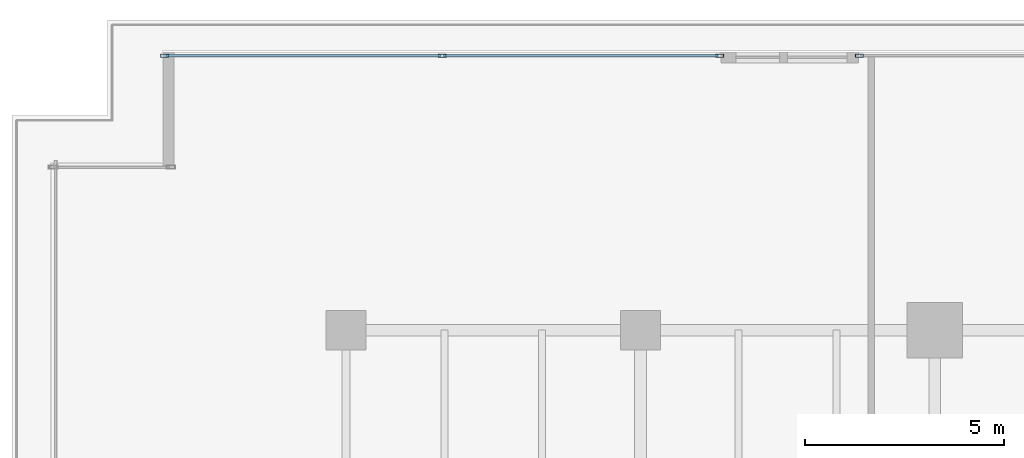
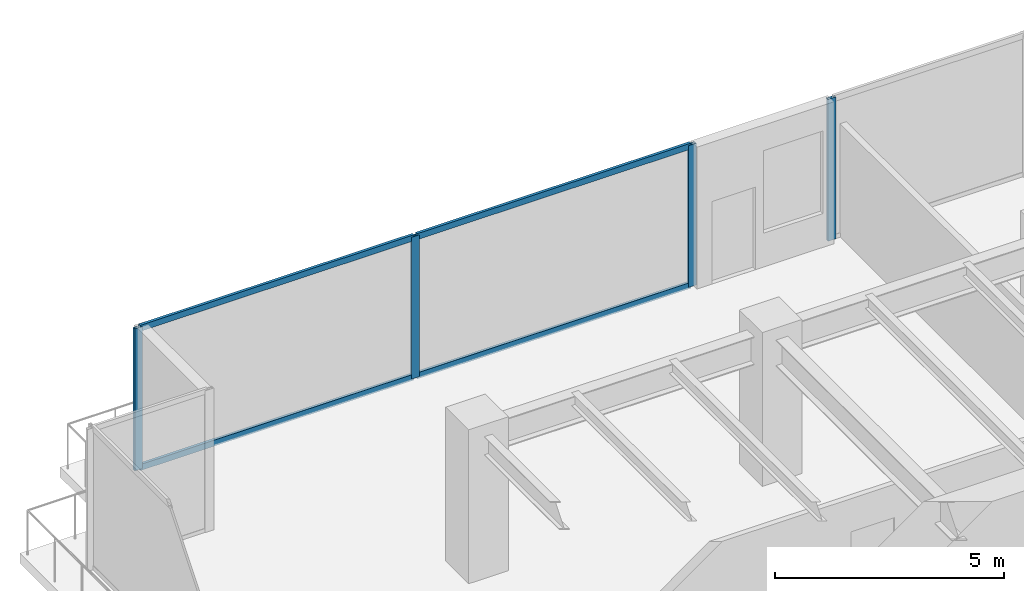
# One storey, part 15 of 36: 8 members, 2 elements without a shape of their own.
"""IFC4 building model written with IfcOpenShell, lengths in metres."""

from ifc_helpers import new_model, si_unit, direction, frame, origin, origin_2d, place, context, subcontext, project, spatial, hollow_rectangle, extrude, source, transform, mapped, material, layer, layer_set, material_profile, profile_set, type_object, type_shapes, element, aggregate, save


model = new_model("IFC4")

# Units and contexts
model_context = context("Model", 3, precision=1e-05, world=origin(), true_north=direction((0.0, 1.0)))
body_context = subcontext(model_context, "Body", "Model", "MODEL_VIEW")
ifc_project = project(units=[si_unit("LENGTHUNIT", "METRE"), si_unit("AREAUNIT", "SQUARE_METRE"), si_unit("VOLUMEUNIT", "CUBIC_METRE"), si_unit("PLANEANGLEUNIT", "RADIAN"), si_unit("MASSUNIT", "GRAM", prefix="KILO")], contexts=[model_context])

# Site, building, storey
site_placement = place(None, origin())
site = spatial("IfcSite", under=ifc_project, at=site_placement, CompositionType="ELEMENT")
building_placement = place(site_placement, origin())
building = spatial("IfcBuilding", under=site, at=building_placement, Name="Haelvirn Gate Laboratories", CompositionType="ELEMENT")
storey_placement = place(building_placement, frame((0.0, 0.0, 25.199951171875)))
storey = spatial("IfcBuildingStorey", under=building, at=storey_placement, Name="L06", CompositionType="ELEMENT", Elevation=25.199951171875)

# Curtain wall, members
ifc_material_1 = material(Name="Anodised bronze unitised aluminium & triple low-E glass", Category="aluminium")
ifc_layer = layer(ifc_material_1, 0.18408203125, Name="CW-SYS-2")
ifc_layer_set = layer_set([ifc_layer], Name="Anodised bronze unitised aluminium & triple low-E glass")
curtain_wall_type = type_object("IfcCurtainWallType", Name="CW-SYS-2", PredefinedType="NOTDEFINED", material=ifc_layer_set)
curtain_wall_1_placement = place(storey_placement, origin())
curtain_wall_1 = element("IfcCurtainWall", 1, at=curtain_wall_1_placement, inside=storey, type_object=curtain_wall_type, Name="L06 Unitised Curtain Wall CW-L06-P0-E14-1", PredefinedType="NOTDEFINED")
ifc_material_2 = material(Name="Extruded aluminium 6063-T6 (anodised bronze)", Category="aluminium")
ifc_material_profile_1 = material_profile(ifc_material_2, hollow_rectangle(XDim=0.074951171875, YDim=0.199951171875, WallThickness=0.0048828125, at=origin_2d()), Name="CWM-200x75x5")
ifc_profile_set_1 = profile_set([ifc_material_profile_1], Name="Extruded aluminium 6063-T6 (anodised bronze)")
member_type_1 = type_object("IfcMemberType", Name="CWM-T200", PredefinedType="MULLION", material=ifc_profile_set_1)
shared_shape_1 = source(origin(), body_context, "Body", "SweptSolid", [
    extrude(hollow_rectangle(XDim=0.074951171875, YDim=0.199951171875, WallThickness=0.0048828125, at=origin_2d()), origin(), (0.0, 0.0, 1.0), 3.780029296875),
])
type_shapes(member_type_1, [shared_shape_1])
member_1_placement = place(storey_placement, frame((2.83740234375, 48.5, 0.0), z_axis=(0.0, 0.0, 1.0), x_axis=(0.0, 1.0, 0.0)))
member_1 = element("IfcMember", 2, at=member_1_placement, type_object=member_type_1, Name="CW2 mullion 1", PredefinedType="MULLION", context=body_context, shape_type="MappedRepresentation", body=[
    mapped(shared_shape_1, transform((0.0, 0.0, 0.0), scale=1.0)),
])
member_2_placement = place(storey_placement, frame((9.81494140625, 48.5, 0.0), z_axis=(0.0, 0.0, 1.0), x_axis=(0.0, 1.0, 0.0)))
member_2 = element("IfcMember", 3, at=member_2_placement, type_object=member_type_1, Name="CW2 mullion 2", PredefinedType="MULLION", context=body_context, shape_type="MappedRepresentation", body=[
    mapped(shared_shape_1, transform((0.0, 0.0, 0.0), scale=1.0)),
])
member_3_placement = place(storey_placement, frame((16.79248046875, 48.5, 0.0), z_axis=(0.0, 0.0, 1.0), x_axis=(0.0, 1.0, 0.0)))
member_3 = element("IfcMember", 4, at=member_3_placement, type_object=member_type_1, Name="CW2 mullion 3", PredefinedType="MULLION", context=body_context, shape_type="MappedRepresentation", body=[
    mapped(shared_shape_1, transform((0.0, 0.0, 0.0), scale=1.0)),
])

# Curtain wall, member
curtain_wall_2_placement = place(storey_placement, origin())
curtain_wall_2 = element("IfcCurtainWall", 5, at=curtain_wall_2_placement, inside=storey, type_object=curtain_wall_type, Name="L06 Unitised Curtain Wall CW-L06-P0-E14-2", PredefinedType="NOTDEFINED")
member_4_placement = place(storey_placement, frame((20.3076171875, 48.5, 0.0), z_axis=(0.0, 0.0, 1.0), x_axis=(0.0, 1.0, 0.0)))
member_4 = element("IfcMember", 6, at=member_4_placement, type_object=member_type_1, Name="CW2 mullion 1", PredefinedType="MULLION", context=body_context, shape_type="MappedRepresentation", body=[
    mapped(shared_shape_1, transform((0.0, 0.0, 0.0), scale=1.0)),
])
aggregate(curtain_wall_2, [member_4])

# Member
ifc_material_profile_2 = material_profile(ifc_material_2, hollow_rectangle(XDim=0.070068359375, YDim=0.159912109375, WallThickness=0.0048828125, at=origin_2d()), Name="CWT-160x70x5")
ifc_profile_set_2 = profile_set([ifc_material_profile_2], Name="Extruded aluminium 6063-T6 (anodised bronze)")
member_type_2 = type_object("IfcMemberType", Name="CWT-T160", PredefinedType="USERDEFINED", material=ifc_profile_set_2)
shared_shape_2 = source(origin(), body_context, "Body", "SweptSolid", [
    extrude(hollow_rectangle(XDim=0.070068359375, YDim=0.159912109375, WallThickness=0.0048828125, at=origin_2d()), origin(), (0.0, 0.0, 1.0), 6.902587890625),
])
member_5_placement = place(storey_placement, frame((2.875, 48.5, 0.03515625), z_axis=(1.0, 0.0, 0.0), x_axis=(0.0, 1.0, 0.0)))
member_5 = element("IfcMember", 7, at=member_5_placement, type_object=member_type_2, Name="CW2 transom 1.1", ObjectType="TRANSOM", PredefinedType="USERDEFINED", context=body_context, shape_type="MappedRepresentation", body=[
    mapped(shared_shape_2, transform((0.0, 0.0, 0.0), scale=1.0)),
])

member_6_placement = place(storey_placement, frame((2.875, 48.5, 3.7451171875), z_axis=(1.0, 0.0, 0.0), x_axis=(0.0, 1.0, 0.0)))
member_6 = element("IfcMember", 8, at=member_6_placement, type_object=member_type_2, Name="CW2 transom 1.2", ObjectType="TRANSOM", PredefinedType="USERDEFINED", context=body_context, shape_type="MappedRepresentation", body=[
    mapped(shared_shape_2, transform((0.0, 0.0, 0.0), scale=1.0)),
])

shared_shape_3 = source(origin(), body_context, "Body", "SweptSolid", [
    extrude(hollow_rectangle(XDim=0.070068359375, YDim=0.159912109375, WallThickness=0.0048828125, at=origin_2d()), origin(), (0.0, 0.0, 1.0), 6.90234375),
])
type_shapes(member_type_2, [shared_shape_2, shared_shape_3])
member_7_placement = place(storey_placement, frame((9.8525390625, 48.5, 0.03515625), z_axis=(1.0, 0.0, 0.0), x_axis=(0.0, 1.0, 0.0)))
member_7 = element("IfcMember", 9, at=member_7_placement, type_object=member_type_2, Name="CW2 transom 2.1", ObjectType="TRANSOM", PredefinedType="USERDEFINED", context=body_context, shape_type="MappedRepresentation", body=[
    mapped(shared_shape_3, transform((0.0, 0.0, 0.0), scale=1.0)),
])

member_8_placement = place(storey_placement, frame((9.8525390625, 48.5, 3.7451171875), z_axis=(1.0, 0.0, 0.0), x_axis=(0.0, 1.0, 0.0)))
member_8 = element("IfcMember", 10, at=member_8_placement, type_object=member_type_2, Name="CW2 transom 2.2", ObjectType="TRANSOM", PredefinedType="USERDEFINED", context=body_context, shape_type="MappedRepresentation", body=[
    mapped(shared_shape_3, transform((0.0, 0.0, 0.0), scale=1.0)),
])

aggregate(curtain_wall_1, [member_1, member_2, member_3, member_5, member_6, member_7, member_8])

save(model, "model.ifc")
